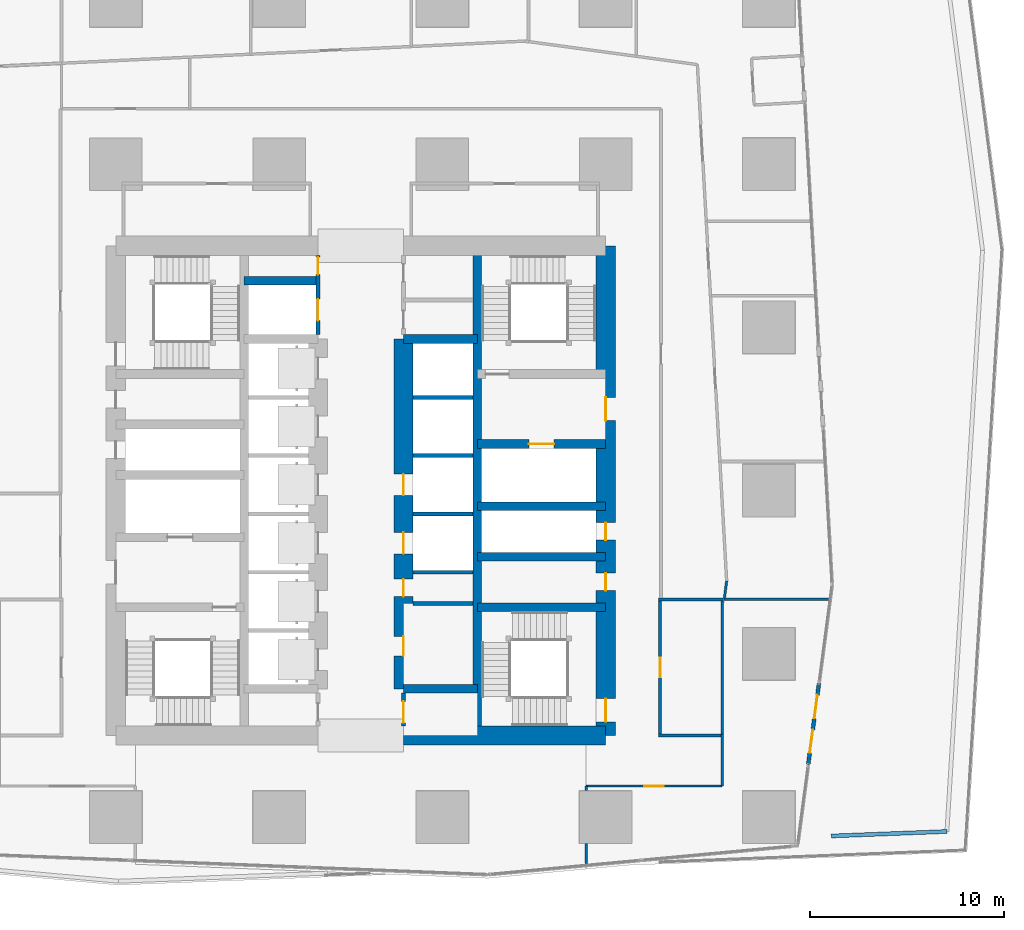
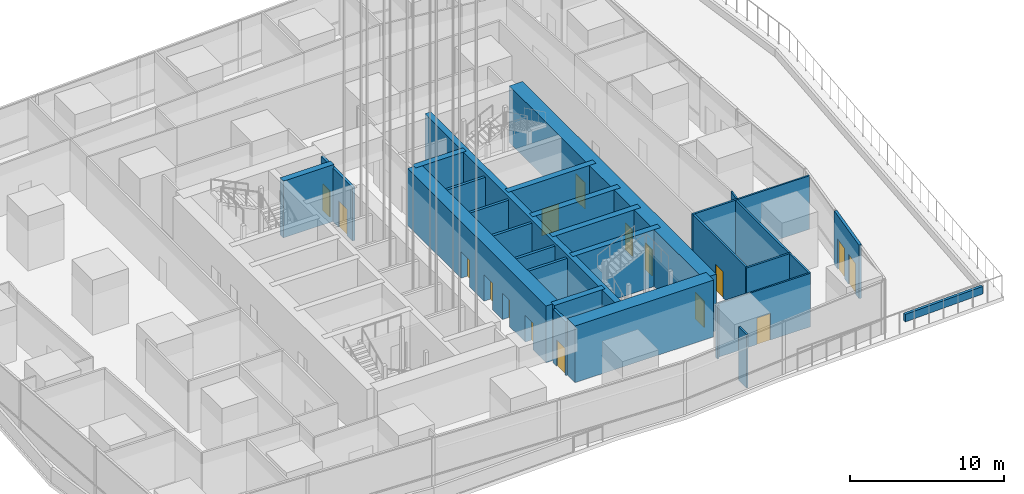
# One storey, part 16 of 39: 30 walls, 16 doors, 16 openings.
"""IFC4 building model written with IfcOpenShell, lengths in metres."""

from ifc_helpers import new_model, si_unit, direction, frame, frame_2d, origin, place, context, subcontext, project, spatial, rectangle, extrude, material, layer, layer_set, type_object, element, fill, save


model = new_model("IFC4")

# Units and contexts
model_context = context("Model", 3, precision=1e-05, world=origin(), true_north=direction((0.0, 1.0)))
body_context = subcontext(model_context, "Body", "Model", "MODEL_VIEW")
ifc_project = project(units=[si_unit("LENGTHUNIT", "METRE"), si_unit("AREAUNIT", "SQUARE_METRE"), si_unit("VOLUMEUNIT", "CUBIC_METRE"), si_unit("PLANEANGLEUNIT", "RADIAN"), si_unit("MASSUNIT", "GRAM", prefix="KILO")], contexts=[model_context])

# Site, building, storey
site_placement = place(None, origin())
site = spatial("IfcSite", under=ifc_project, at=site_placement, CompositionType="ELEMENT")
building_placement = place(site_placement, origin())
building = spatial("IfcBuilding", under=site, at=building_placement, Name="Rekha Terrace Tower", CompositionType="ELEMENT")
storey_placement = place(building_placement, frame((0.0, 0.0, 168.199951171875)))
storey = spatial("IfcBuildingStorey", under=building, at=storey_placement, Name="L42", CompositionType="ELEMENT", Elevation=168.199951171875)

# Walls
ifc_material_1 = material(Name="Concrete M60", Category="concrete")
ifc_layer_1 = layer(ifc_material_1, 0.449951171875)
ifc_layer_set_1 = layer_set([ifc_layer_1], Name="Concrete M60")
wall_type_1 = type_object("IfcWallType", Name="CI3 450 core internal shear wall", PredefinedType="SHEAR", material=ifc_layer_set_1)
wall_1_placement = place(storey_placement, frame((43.800048828125, 21.0, 0.0), z_axis=(0.0, 0.0, 1.0), x_axis=(0.0, 1.0, 0.0)))
element("IfcWall", 1, at=wall_1_placement, inside=storey, type_object=wall_type_1, Name="Core wall X438 L42", PredefinedType="SHEAR", context=body_context, shape_type="SweptSolid", body=[
    extrude(rectangle(XDim=25.199951171875, YDim=0.449951171875, at=frame_2d((12.60009765625, 0.0))), origin(), (0.0, 0.0, 1.0), 4.5),
])
for number, where, z_axis, x_axis, name in (
    (2, (31.800048828125, 44.39990234375, 0.0), (0.0, 0.0, 1.0), (1.0, 0.0, 0.0), "Core wall Y444W L42"),
    (3, (40.0, 23.39990234375, 0.0), (0.0, 0.0, 1.0), (1.0, 0.0, 0.0), "Core wall Y234E L42"),
    (4, (40.0, 41.39990234375, 0.0), (0.0, 0.0, 1.0), (1.0, 0.0, 0.0), "Core wall Y414E L42"),
):
    element("IfcWall", number, at=place(storey_placement, frame(where, z_axis=z_axis, x_axis=x_axis)), inside=storey, type_object=wall_type_1, Name=name, PredefinedType="SHEAR", context=body_context, shape_type="SweptSolid", body=[
        extrude(rectangle(XDim=3.800048828125, YDim=0.449951171875, at=frame_2d((1.89990234375, 0.0))), origin(), (0.0, 0.0, 1.0), 4.5),
    ])
for number, where, z_axis, x_axis, name in (
    (5, (43.800048828125, 27.60009765625, 0.0), (0.0, 0.0, 1.0), (1.0, 0.0, 0.0), "Core wall Y276E L42"),
    (6, (43.800048828125, 30.199951171875, 0.0), (0.0, 0.0, 1.0), (1.0, 0.0, 0.0), "Core wall Y302E L42"),
    (7, (43.800048828125, 32.800048828125, 0.0), (0.0, 0.0, 1.0), (1.0, 0.0, 0.0), "Core wall Y328E L42"),
):
    element("IfcWall", number, at=place(storey_placement, frame(where, z_axis=z_axis, x_axis=x_axis)), inside=storey, type_object=wall_type_1, Name=name, PredefinedType="SHEAR", context=body_context, shape_type="SweptSolid", body=[
        extrude(rectangle(XDim=6.599853515625, YDim=0.449951171875, at=frame_2d((3.2998046875, 0.0))), origin(), (0.0, 0.0, 1.0), 4.5),
    ])

# Wall, opening, door
wall_2_placement = place(storey_placement, frame((43.800048828125, 36.0, 0.0), z_axis=(0.0, 0.0, 1.0), x_axis=(1.0, 0.0, 0.0)))
wall_2 = element("IfcWall", 8, at=wall_2_placement, inside=storey, type_object=wall_type_1, Name="Core wall Y360E L42", PredefinedType="SHEAR", context=body_context, shape_type="SweptSolid", body=[
    extrude(rectangle(XDim=6.599853515625, YDim=0.449951171875, at=frame_2d((3.2998046875, 0.0))), origin(), (0.0, 0.0, 1.0), 4.5),
])
opening_1_placement = place(wall_2_placement, frame((2.64990234375, 0.0, 0.0)))
opening_1 = element("IfcOpeningElement", 9, at=opening_1_placement, cuts=wall_2, Name="Opening LD2", PredefinedType="OPENING", context=body_context, shape_type="SweptSolid", body=[
    extrude(rectangle(XDim=1.300048828125, YDim=2.10009765625, at=frame_2d((0.64990234375, 1.050048828125))), frame((0.0, 0.23486328125, 0.0), z_axis=(0.0, -1.0, 0.0), x_axis=(1.0, 0.0, 0.0)), (0.0, 0.0, 1.0), 0.469970703125),
])
ifc_material_2 = material(Name="Stainless steel sliding landing door", Category="steel")
door_type_1 = type_object("IfcDoorType", Name="LD2 1300x2100 fire lift landing door", OperationType="SLIDING_TO_LEFT", PredefinedType="USERDEFINED", material=ifc_material_2)
door_1_placement = place(opening_1_placement, origin())
door_1 = element("IfcDoor", 10, at=door_1_placement, inside=storey, type_object=door_type_1, Name="Lift FL2 landing door L42", ObjectType="LIFT LANDING DOOR", OperationType="SLIDING_TO_LEFT", OverallHeight=2.10009765625, OverallWidth=1.300048828125, PredefinedType="USERDEFINED", context=body_context, shape_type="SweptSolid", body=[
    extrude(rectangle(XDim=1.300048828125, YDim=2.10009765625, at=frame_2d((0.64990234375, 1.050048828125))), frame((0.0, 0.02490234375, 0.0), z_axis=(0.0, -1.0, 0.0), x_axis=(1.0, 0.0, 0.0)), (0.0, 0.0, 1.0), 0.050048828125),
])
fill(opening_1, door_1)

# Wall, openings, doors
ifc_material_3 = material(Name="Aluminium-faced insulated screen wall", Category="aluminium")
ifc_layer_2 = layer(ifc_material_3, 0.199951171875)
ifc_layer_set_2 = layer_set([ifc_layer_2], Name="Aluminium-faced insulated screen wall")
wall_type_2 = type_object("IfcWallType", Name="EW3 terrace door screen wall 200", PredefinedType="SOLIDWALL", material=ifc_layer_set_2)
wall_3_placement = place(storey_placement, frame((60.826171875, 19.512939453125, 0.0), z_axis=(0.0, 0.0, 1.0), x_axis=(0.131307007814, 0.991341752222, 0.0)))
wall_3 = element("IfcWall", 11, at=wall_3_placement, inside=storey, type_object=wall_type_2, Name="Terrace door screen wall", PredefinedType="SOLIDWALL", context=body_context, shape_type="SweptSolid", body=[
    extrude(rectangle(XDim=4.2001953125, YDim=0.199951171875, at=frame_2d((2.10009765625, 0.0))), origin(), (0.0, 0.0, 1.0), 4.25),
])
opening_2_placement = place(wall_3_placement, frame((0.60009765625, 0.0, 0.0)))
opening_2 = element("IfcOpeningElement", 12, at=opening_2_placement, cuts=wall_3, Name="Opening ED4", PredefinedType="OPENING", context=body_context, shape_type="SweptSolid", body=[
    extrude(rectangle(XDim=1.199951171875, YDim=2.39990234375, at=frame_2d((0.60009765625, 1.199951171875))), frame((0.0, 0.10986328125, 0.0), z_axis=(0.0, -1.0, 0.0), x_axis=(1.0, 0.0, 0.0)), (0.0, 0.0, 1.0), 0.219970703125),
])
opening_3_placement = place(wall_3_placement, frame((2.39990234375, 0.0, 0.0)))
opening_3 = element("IfcOpeningElement", 13, at=opening_3_placement, cuts=wall_3, Name="Opening ED4", PredefinedType="OPENING", context=body_context, shape_type="SweptSolid", body=[
    extrude(rectangle(XDim=1.199951171875, YDim=2.39990234375, at=frame_2d((0.60009765625, 1.199951171875))), frame((0.0, 0.10986328125, 0.0), z_axis=(0.0, -1.0, 0.0), x_axis=(1.0, 0.0, 0.0)), (0.0, 0.0, 1.0), 0.219970703125),
])
ifc_material_4 = material(Name="Aluminium framed laminated glass door", Category="aluminium")
door_type_2 = type_object("IfcDoorType", Name="ED4 glazed terrace door 1200 x 2400", OperationType="SINGLE_SWING_LEFT", PredefinedType="DOOR", material=ifc_material_4)
door_2_placement = place(opening_2_placement, origin())
door_2 = element("IfcDoor", 14, at=door_2_placement, inside=storey, type_object=door_type_2, Name="Terrace door", OperationType="SINGLE_SWING_LEFT", OverallHeight=2.39990234375, OverallWidth=1.199951171875, PredefinedType="DOOR", context=body_context, shape_type="SweptSolid", body=[
    extrude(rectangle(XDim=1.199951171875, YDim=2.39990234375, at=frame_2d((0.60009765625, 1.199951171875))), frame((0.0, 0.02490234375, 0.0), z_axis=(0.0, -1.0, 0.0), x_axis=(1.0, 0.0, 0.0)), (0.0, 0.0, 1.0), 0.050048828125),
])
fill(opening_2, door_2)
door_3_placement = place(opening_3_placement, origin())
door_3 = element("IfcDoor", 15, at=door_3_placement, inside=storey, type_object=door_type_2, Name="Terrace door", OperationType="SINGLE_SWING_LEFT", OverallHeight=2.39990234375, OverallWidth=1.199951171875, PredefinedType="DOOR", context=body_context, shape_type="SweptSolid", body=[
    extrude(rectangle(XDim=1.199951171875, YDim=2.39990234375, at=frame_2d((0.60009765625, 1.199951171875))), frame((0.0, 0.02490234375, 0.0), z_axis=(0.0, -1.0, 0.0), x_axis=(1.0, 0.0, 0.0)), (0.0, 0.0, 1.0), 0.050048828125),
])
fill(opening_3, door_3)

ifc_layer_3 = layer(ifc_material_1, 1.0)
ifc_layer_set_3 = layer_set([ifc_layer_3], Name="Concrete M60")
wall_type_3 = type_object("IfcWallType", Name="LW3 1000 core lobby wall at an outrigger level", PredefinedType="SHEAR", material=ifc_layer_set_3)
wall_4_placement = place(storey_placement, frame((40.0, 23.39990234375, 0.0), z_axis=(0.0, 0.0, 1.0), x_axis=(0.0, 1.0, 0.0)))
wall_4 = element("IfcWall", 16, at=wall_4_placement, inside=storey, type_object=wall_type_3, Name="Core wall X400 L42", PredefinedType="SHEAR", context=body_context, shape_type="SweptSolid", body=[
    extrude(rectangle(XDim=18.0, YDim=1.0, at=frame_2d((9.0, 0.0))), origin(), (0.0, 0.0, 1.0), 4.5),
])
opening_4_placement = place(wall_4_placement, frame((1.699951171875, 0.0, 0.0)))
opening_4 = element("IfcOpeningElement", 17, at=opening_4_placement, cuts=wall_4, Name="Opening D3", PredefinedType="OPENING", context=body_context, shape_type="SweptSolid", body=[
    extrude(rectangle(XDim=1.0, YDim=2.10009765625, at=frame_2d((0.5, 1.050048828125))), frame((0.0, 0.510009765625, 0.0), z_axis=(0.0, -1.0, 0.0), x_axis=(1.0, 0.0, 0.0)), (0.0, 0.0, 1.0), 1.02001953125),
])
opening_5_placement = place(wall_4_placement, frame((4.75, 0.0, 0.0)))
opening_5 = element("IfcOpeningElement", 18, at=opening_5_placement, cuts=wall_4, Name="Opening D5", PredefinedType="OPENING", context=body_context, shape_type="SweptSolid", body=[
    extrude(rectangle(XDim=0.89990234375, YDim=2.10009765625, at=frame_2d((0.449951171875, 1.050048828125))), frame((0.0, 0.510009765625, 0.0), z_axis=(0.0, -1.0, 0.0), x_axis=(1.0, 0.0, 0.0)), (0.0, 0.0, 1.0), 1.02001953125),
])
opening_6_placement = place(wall_4_placement, frame((6.949951171875, 0.0, 0.0)))
opening_6 = element("IfcOpeningElement", 19, at=opening_6_placement, cuts=wall_4, Name="Opening LD1", PredefinedType="OPENING", context=body_context, shape_type="SweptSolid", body=[
    extrude(rectangle(XDim=1.10009765625, YDim=2.10009765625, at=frame_2d((0.550048828125, 1.050048828125))), frame((0.0, 0.510009765625, 0.0), z_axis=(0.0, -1.0, 0.0), x_axis=(1.0, 0.0, 0.0)), (0.0, 0.0, 1.0), 1.02001953125),
])
opening_7_placement = place(wall_4_placement, frame((9.949951171875, 0.0, 0.0)))
opening_7 = element("IfcOpeningElement", 20, at=opening_7_placement, cuts=wall_4, Name="Opening LD1", PredefinedType="OPENING", context=body_context, shape_type="SweptSolid", body=[
    extrude(rectangle(XDim=1.10009765625, YDim=2.10009765625, at=frame_2d((0.550048828125, 1.050048828125))), frame((0.0, 0.510009765625, 0.0), z_axis=(0.0, -1.0, 0.0), x_axis=(1.0, 0.0, 0.0)), (0.0, 0.0, 1.0), 1.02001953125),
])
ifc_material_5 = material(Name="Laminated timber fire door", Category="wood")
door_type_3 = type_object("IfcDoorType", Name="D3 1000x2100 WC door", OperationType="SINGLE_SWING_LEFT", PredefinedType="DOOR", material=ifc_material_5)
door_4_placement = place(opening_4_placement, origin())
door_4 = element("IfcDoor", 21, at=door_4_placement, inside=storey, type_object=door_type_3, Name="Door staff wc L42", OperationType="SINGLE_SWING_LEFT", OverallHeight=2.10009765625, OverallWidth=1.0, PredefinedType="DOOR", context=body_context, shape_type="SweptSolid", body=[
    extrude(rectangle(XDim=1.0, YDim=2.10009765625, at=frame_2d((0.5, 1.050048828125))), frame((0.0, 0.02490234375, 0.0), z_axis=(0.0, -1.0, 0.0), x_axis=(1.0, 0.0, 0.0)), (0.0, 0.0, 1.0), 0.050048828125),
])
fill(opening_4, door_4)
ifc_material_6 = material(Name="Steel fire door", Category="steel")
door_type_4 = type_object("IfcDoorType", Name="D5 900x2100 riser access door", OperationType="SINGLE_SWING_LEFT", PredefinedType="DOOR", material=ifc_material_6)
door_5_placement = place(opening_5_placement, origin())
door_5 = element("IfcDoor", 22, at=door_5_placement, inside=storey, type_object=door_type_4, Name="Door records store L42", OperationType="SINGLE_SWING_LEFT", OverallHeight=2.10009765625, OverallWidth=0.89990234375, PredefinedType="DOOR", context=body_context, shape_type="SweptSolid", body=[
    extrude(rectangle(XDim=0.89990234375, YDim=2.10009765625, at=frame_2d((0.449951171875, 1.050048828125))), frame((0.0, 0.02490234375, 0.0), z_axis=(0.0, -1.0, 0.0), x_axis=(1.0, 0.0, 0.0)), (0.0, 0.0, 1.0), 0.050048828125),
])
fill(opening_5, door_5)
door_type_5 = type_object("IfcDoorType", Name="LD1 1100x2100 lift landing door", OperationType="SLIDING_TO_LEFT", PredefinedType="USERDEFINED", material=ifc_material_2)
door_6_placement = place(opening_6_placement, origin())
door_6 = element("IfcDoor", 23, at=door_6_placement, inside=storey, type_object=door_type_5, Name="Lift SH3 landing door L42", ObjectType="LIFT LANDING DOOR", OperationType="SLIDING_TO_LEFT", OverallHeight=2.10009765625, OverallWidth=1.10009765625, PredefinedType="USERDEFINED", context=body_context, shape_type="SweptSolid", body=[
    extrude(rectangle(XDim=1.10009765625, YDim=2.10009765625, at=frame_2d((0.550048828125, 1.050048828125))), frame((0.0, 0.02490234375, 0.0), z_axis=(0.0, -1.0, 0.0), x_axis=(1.0, 0.0, 0.0)), (0.0, 0.0, 1.0), 0.050048828125),
])
fill(opening_6, door_6)
door_7_placement = place(opening_7_placement, origin())
door_7 = element("IfcDoor", 24, at=door_7_placement, inside=storey, type_object=door_type_5, Name="Lift SH4 landing door L42", ObjectType="LIFT LANDING DOOR", OperationType="SLIDING_TO_LEFT", OverallHeight=2.10009765625, OverallWidth=1.10009765625, PredefinedType="USERDEFINED", context=body_context, shape_type="SweptSolid", body=[
    extrude(rectangle(XDim=1.10009765625, YDim=2.10009765625, at=frame_2d((0.550048828125, 1.050048828125))), frame((0.0, 0.02490234375, 0.0), z_axis=(0.0, -1.0, 0.0), x_axis=(1.0, 0.0, 0.0)), (0.0, 0.0, 1.0), 0.050048828125),
])
fill(opening_7, door_7)

# Walls
ifc_material_7 = material(Name="Concrete M40", Category="concrete")
ifc_layer_4 = layer(ifc_material_7, 0.199951171875)
ifc_layer_set_4 = layer_set([ifc_layer_4], Name="Concrete M40")
wall_type_4 = type_object("IfcWallType", Name="PL1 terrace planter wall 200", PredefinedType="USERDEFINED", material=ifc_layer_set_4)
wall_5_placement = place(storey_placement, frame((62.0126953125, 15.828857421875, 0.0), z_axis=(0.0, 0.0, 1.0), x_axis=(0.999242772143, 0.038908640685, 0.0)))
element("IfcWall", 25, at=wall_5_placement, inside=storey, type_object=wall_type_4, Name="Terrace planter", ObjectType="PLANTER", PredefinedType="USERDEFINED", context=body_context, shape_type="SweptSolid", body=[
    extrude(rectangle(XDim=5.95458984375, YDim=0.199951171875, at=frame_2d((2.977294921875, 0.0))), origin(), (0.0, 0.0, 1.0), 0.60009765625),
])
ifc_layer_5 = layer(ifc_material_1, 1.0)
ifc_layer_set_5 = layer_set([ifc_layer_5], Name="Concrete M60")
wall_type_5 = type_object("IfcWallType", Name="SW3 1000 core outer shear wall", PredefinedType="SHEAR", material=ifc_layer_set_5)
wall_6_placement = place(storey_placement, frame((40.0, 21.0, 0.0), z_axis=(0.0, 0.0, 1.0), x_axis=(1.0, 0.0, 0.0)))
element("IfcWall", 26, at=wall_6_placement, inside=storey, type_object=wall_type_5, Name="Core wall S2 L42", PredefinedType="SHEAR", context=body_context, shape_type="SweptSolid", body=[
    extrude(rectangle(XDim=10.39990234375, YDim=1.0, at=frame_2d((5.199951171875, 0.0))), origin(), (0.0, 0.0, 1.0), 4.5),
])

# Wall, openings, doors
wall_7_placement = place(storey_placement, frame((50.39990234375, 21.0, 0.0), z_axis=(0.0, 0.0, 1.0), x_axis=(0.0, 1.0, 0.0)))
wall_7 = element("IfcWall", 27, at=wall_7_placement, inside=storey, type_object=wall_type_5, Name="Core wall E L42", PredefinedType="SHEAR", context=body_context, shape_type="SweptSolid", body=[
    extrude(rectangle(XDim=25.199951171875, YDim=1.0, at=frame_2d((12.60009765625, 0.0))), origin(), (0.0, 0.0, 1.0), 4.5),
])
opening_8_placement = place(wall_7_placement, frame((16.199951171875, 0.0, 0.0)))
opening_8 = element("IfcOpeningElement", 28, at=opening_8_placement, cuts=wall_7, Name="Opening D2", PredefinedType="OPENING", context=body_context, shape_type="SweptSolid", body=[
    extrude(rectangle(XDim=1.199951171875, YDim=2.10009765625, at=frame_2d((0.60009765625, 1.050048828125))), frame((0.0, 0.510009765625, 0.0), z_axis=(0.0, -1.0, 0.0), x_axis=(1.0, 0.0, 0.0)), (0.0, 0.0, 1.0), 1.02001953125),
])
opening_9_placement = place(wall_7_placement, frame((10.050048828125, 0.0, 0.0)))
opening_9 = element("IfcOpeningElement", 29, at=opening_9_placement, cuts=wall_7, Name="Opening D5", PredefinedType="OPENING", context=body_context, shape_type="SweptSolid", body=[
    extrude(rectangle(XDim=0.89990234375, YDim=2.10009765625, at=frame_2d((0.449951171875, 1.050048828125))), frame((0.0, 0.510009765625, 0.0), z_axis=(0.0, -1.0, 0.0), x_axis=(1.0, 0.0, 0.0)), (0.0, 0.0, 1.0), 1.02001953125),
])
opening_10_placement = place(wall_7_placement, frame((7.449951171875, 0.0, 0.0)))
opening_10 = element("IfcOpeningElement", 30, at=opening_10_placement, cuts=wall_7, Name="Opening D5", PredefinedType="OPENING", context=body_context, shape_type="SweptSolid", body=[
    extrude(rectangle(XDim=0.89990234375, YDim=2.10009765625, at=frame_2d((0.449951171875, 1.050048828125))), frame((0.0, 0.510009765625, 0.0), z_axis=(0.0, -1.0, 0.0), x_axis=(1.0, 0.0, 0.0)), (0.0, 0.0, 1.0), 1.02001953125),
])
opening_11_placement = place(wall_7_placement, frame((0.699951171875, 0.0, 0.0)))
opening_11 = element("IfcOpeningElement", 31, at=opening_11_placement, cuts=wall_7, Name="Opening D1", PredefinedType="OPENING", context=body_context, shape_type="SweptSolid", body=[
    extrude(rectangle(XDim=1.199951171875, YDim=2.10009765625, at=frame_2d((0.60009765625, 1.050048828125))), frame((0.0, 0.510009765625, 0.0), z_axis=(0.0, -1.0, 0.0), x_axis=(1.0, 0.0, 0.0)), (0.0, 0.0, 1.0), 1.02001953125),
])
door_type_6 = type_object("IfcDoorType", Name="D1 1200x2100 stair fire door", OperationType="SINGLE_SWING_RIGHT", PredefinedType="DOOR", material=ifc_material_6)
door_8_placement = place(opening_11_placement, origin())
door_8 = element("IfcDoor", 32, at=door_8_placement, inside=storey, type_object=door_type_6, Name="Stair ST3 door L42", OperationType="SINGLE_SWING_RIGHT", OverallHeight=2.10009765625, OverallWidth=1.199951171875, PredefinedType="DOOR", context=body_context, shape_type="SweptSolid", body=[
    extrude(rectangle(XDim=1.199951171875, YDim=2.10009765625, at=frame_2d((0.60009765625, 1.050048828125))), frame((0.0, 0.02490234375, 0.0), z_axis=(0.0, -1.0, 0.0), x_axis=(1.0, 0.0, 0.0)), (0.0, 0.0, 1.0), 0.050048828125),
])
fill(opening_11, door_8)
door_type_7 = type_object("IfcDoorType", Name="D2 1200x2100 firefighting lobby door", OperationType="SINGLE_SWING_LEFT", PredefinedType="DOOR", material=ifc_material_6)
door_9_placement = place(opening_8_placement, origin())
door_9 = element("IfcDoor", 33, at=door_9_placement, inside=storey, type_object=door_type_7, Name="Door flb2 L42", OperationType="SINGLE_SWING_LEFT", OverallHeight=2.10009765625, OverallWidth=1.199951171875, PredefinedType="DOOR", context=body_context, shape_type="SweptSolid", body=[
    extrude(rectangle(XDim=1.199951171875, YDim=2.10009765625, at=frame_2d((0.60009765625, 1.050048828125))), frame((0.0, 0.02490234375, 0.0), z_axis=(0.0, -1.0, 0.0), x_axis=(1.0, 0.0, 0.0)), (0.0, 0.0, 1.0), 0.050048828125),
])
fill(opening_8, door_9)
door_10_placement = place(opening_9_placement, origin())
door_10 = element("IfcDoor", 34, at=door_10_placement, inside=storey, type_object=door_type_4, Name="Door rs2 L42", OperationType="SINGLE_SWING_LEFT", OverallHeight=2.10009765625, OverallWidth=0.89990234375, PredefinedType="DOOR", context=body_context, shape_type="SweptSolid", body=[
    extrude(rectangle(XDim=0.89990234375, YDim=2.10009765625, at=frame_2d((0.449951171875, 1.050048828125))), frame((0.0, 0.02490234375, 0.0), z_axis=(0.0, -1.0, 0.0), x_axis=(1.0, 0.0, 0.0)), (0.0, 0.0, 1.0), 0.050048828125),
])
fill(opening_9, door_10)
door_11_placement = place(opening_10_placement, origin())
door_11 = element("IfcDoor", 35, at=door_11_placement, inside=storey, type_object=door_type_4, Name="Door ele L42", OperationType="SINGLE_SWING_LEFT", OverallHeight=2.10009765625, OverallWidth=0.89990234375, PredefinedType="DOOR", context=body_context, shape_type="SweptSolid", body=[
    extrude(rectangle(XDim=0.89990234375, YDim=2.10009765625, at=frame_2d((0.449951171875, 1.050048828125))), frame((0.0, 0.02490234375, 0.0), z_axis=(0.0, -1.0, 0.0), x_axis=(1.0, 0.0, 0.0)), (0.0, 0.0, 1.0), 0.050048828125),
])
fill(opening_10, door_11)

# Walls
ifc_material_8 = material(Name="Concrete block masonry, 1 hour", Category="masonry")
ifc_layer_6 = layer(ifc_material_8, 0.14990234375)
ifc_layer_set_6 = layer_set([ifc_layer_6], Name="Concrete block masonry, 1 hour")
wall_type_6 = type_object("IfcWallType", Name="WP2 150 tenancy partition", PredefinedType="PARTITIONING", material=ifc_layer_set_6)
for number, where, z_axis, x_axis, name in (
    (36, (53.125, 21.0, 0.0), (0.0, 0.0, 1.0), (1.0, 0.0, 0.0), "Men's WC wall L42"),
    (37, (53.125, 28.0, 0.0), (0.0, 0.0, 1.0), (1.0, 0.0, 0.0), "Men's WC wall L42"),
):
    element("IfcWall", number, at=place(storey_placement, frame(where, z_axis=z_axis, x_axis=x_axis)), inside=storey, type_object=wall_type_6, Name=name, PredefinedType="PARTITIONING", context=body_context, shape_type="SweptSolid", body=[
        extrude(rectangle(XDim=3.35009765625, YDim=0.14990234375, at=frame_2d((1.675048828125, 0.0))), origin(), (0.0, 0.0, 1.0), 4.25),
    ])

# Wall, opening, door
wall_8_placement = place(storey_placement, frame((53.199951171875, 21.074951171875, 0.0), z_axis=(0.0, 0.0, 1.0), x_axis=(0.0, 1.0, 0.0)))
wall_8 = element("IfcWall", 38, at=wall_8_placement, inside=storey, type_object=wall_type_6, Name="Men's WC wall L42", PredefinedType="PARTITIONING", context=body_context, shape_type="SweptSolid", body=[
    extrude(rectangle(XDim=6.85009765625, YDim=0.14990234375, at=frame_2d((3.425048828125, 0.0))), origin(), (0.0, 0.0, 1.0), 4.25),
])
opening_12_placement = place(wall_8_placement, frame((2.925048828125, 0.0, 0.0)))
opening_12 = element("IfcOpeningElement", 39, at=opening_12_placement, cuts=wall_8, Name="Opening D3", PredefinedType="OPENING", context=body_context, shape_type="SweptSolid", body=[
    extrude(rectangle(XDim=1.0, YDim=2.10009765625, at=frame_2d((0.5, 1.050048828125))), frame((0.0, 0.0849609375, 0.0), z_axis=(0.0, -1.0, 0.0), x_axis=(1.0, 0.0, 0.0)), (0.0, 0.0, 1.0), 0.169921875),
])
door_12_placement = place(opening_12_placement, origin())
door_12 = element("IfcDoor", 40, at=door_12_placement, inside=storey, type_object=door_type_3, Name="Door men's wc L42", OperationType="SINGLE_SWING_LEFT", OverallHeight=2.10009765625, OverallWidth=1.0, PredefinedType="DOOR", context=body_context, shape_type="SweptSolid", body=[
    extrude(rectangle(XDim=1.0, YDim=2.10009765625, at=frame_2d((0.5, 1.050048828125))), frame((0.0, 0.02490234375, 0.0), z_axis=(0.0, -1.0, 0.0), x_axis=(1.0, 0.0, 0.0)), (0.0, 0.0, 1.0), 0.050048828125),
])
fill(opening_12, door_12)

# Walls
wall_9_placement = place(storey_placement, frame((56.39990234375, 21.074951171875, 0.0), z_axis=(0.0, 0.0, 1.0), x_axis=(0.0, 1.0, 0.0)))
element("IfcWall", 41, at=wall_9_placement, inside=storey, type_object=wall_type_6, Name="Men's WC wall L42", PredefinedType="PARTITIONING", context=body_context, shape_type="SweptSolid", body=[
    extrude(rectangle(XDim=6.85009765625, YDim=0.14990234375, at=frame_2d((3.425048828125, 0.0))), origin(), (0.0, 0.0, 1.0), 4.25),
])
ifc_material_9 = material(Name="Two layers of fire-rated gypsum board each side on steel studs, acoustic quilt, 1 hour", Category="steel")
ifc_layer_7 = layer(ifc_material_9, 0.125)
ifc_layer_set_7 = layer_set([ifc_layer_7], Name="Two layers of fire-rated gypsum board each side on steel studs, acoustic quilt, 1 hour")
wall_type_7 = type_object("IfcWallType", Name="WP3 125 office partition", PredefinedType="PARTITIONING", material=ifc_layer_set_7)
wall_10_placement = place(storey_placement, frame((56.39990234375, 18.39990234375, 0.0), z_axis=(0.0, 0.0, 1.0), x_axis=(0.0, 1.0, 0.0)))
element("IfcWall", 42, at=wall_10_placement, inside=storey, type_object=wall_type_7, Name="Partition L42-05", PredefinedType="PARTITIONING", context=body_context, shape_type="SweptSolid", body=[
    extrude(rectangle(XDim=2.675048828125, YDim=0.125, at=frame_2d((1.33740234375, 0.0))), origin(), (0.0, 0.0, 1.0), 4.25),
])
wall_11_placement = place(storey_placement, frame((56.5029296875, 28.0, 0.0), z_axis=(0.0, 0.0, 1.0), x_axis=(1.0, 0.0, 0.0)))
element("IfcWall", 43, at=wall_11_placement, inside=storey, type_object=wall_type_7, Name="Partition L42-05", PredefinedType="PARTITIONING", context=body_context, shape_type="SweptSolid", body=[
    extrude(rectangle(XDim=5.39697265625, YDim=0.125, at=frame_2d((2.698486328125, 0.0))), origin(), (0.0, 0.0, 1.0), 4.25),
])
wall_12_placement = place(storey_placement, frame((49.39990234375, 14.402099609375, 0.0), z_axis=(0.0, 0.0, 1.0), x_axis=(0.0, 1.0, 0.0)))
element("IfcWall", 44, at=wall_12_placement, inside=storey, type_object=wall_type_7, Name="Partition L42-05", PredefinedType="PARTITIONING", context=body_context, shape_type="SweptSolid", body=[
    extrude(rectangle(XDim=1.02783203125, YDim=0.125, at=frame_2d((0.513916015625, 0.0))), origin(), (0.0, 0.0, 1.0), 4.25),
])
wall_13_placement = place(storey_placement, frame((49.39990234375, 18.169921875, 0.0), z_axis=(0.0, 0.0, 1.0), x_axis=(0.0, 1.0, 0.0)))
element("IfcWall", 45, at=wall_13_placement, inside=storey, type_object=wall_type_7, Name="Partition L42-05", PredefinedType="PARTITIONING", context=body_context, shape_type="SweptSolid", body=[
    extrude(rectangle(XDim=0.22998046875, YDim=0.125, at=frame_2d((0.114990234375, 0.0))), origin(), (0.0, 0.0, 1.0), 4.25),
])

# Wall, opening, door
wall_14_placement = place(storey_placement, frame((49.39990234375, 18.39990234375, 0.0), z_axis=(0.0, 0.0, 1.0), x_axis=(1.0, 0.0, 0.0)))
wall_14 = element("IfcWall", 46, at=wall_14_placement, inside=storey, type_object=wall_type_7, Name="Partition L42-05", PredefinedType="PARTITIONING", context=body_context, shape_type="SweptSolid", body=[
    extrude(rectangle(XDim=7.0, YDim=0.125, at=frame_2d((3.5, 0.0))), origin(), (0.0, 0.0, 1.0), 4.25),
])
opening_13_placement = place(wall_14_placement, frame((3.0, 0.0, 0.0)))
opening_13 = element("IfcOpeningElement", 47, at=opening_13_placement, cuts=wall_14, Name="Opening D9", PredefinedType="OPENING", context=body_context, shape_type="SweptSolid", body=[
    extrude(rectangle(XDim=1.0, YDim=2.10009765625, at=frame_2d((0.5, 1.050048828125))), frame((0.0, 0.072509765625, 0.0), z_axis=(0.0, -1.0, 0.0), x_axis=(1.0, 0.0, 0.0)), (0.0, 0.0, 1.0), 0.14501953125),
])
ifc_material_10 = material(Name="Timber fire door", Category="wood")
door_type_8 = type_object("IfcDoorType", Name="D9 1000x2100 office door", OperationType="SINGLE_SWING_LEFT", PredefinedType="DOOR", material=ifc_material_10)
door_13_placement = place(opening_13_placement, origin())
door_13 = element("IfcDoor", 48, at=door_13_placement, inside=storey, type_object=door_type_8, Name="Door director's office L42", OperationType="SINGLE_SWING_LEFT", OverallHeight=2.10009765625, OverallWidth=1.0, PredefinedType="DOOR", context=body_context, shape_type="SweptSolid", body=[
    extrude(rectangle(XDim=1.0, YDim=2.10009765625, at=frame_2d((0.5, 1.050048828125))), frame((0.0, 0.02490234375, 0.0), z_axis=(0.0, -1.0, 0.0), x_axis=(1.0, 0.0, 0.0)), (0.0, 0.0, 1.0), 0.050048828125),
])
fill(opening_13, door_13)

# Walls
wall_15_placement = place(storey_placement, frame((56.511962890625, 28.06201171875, 0.0), z_axis=(0.0, 0.0, 1.0), x_axis=(0.130433380751, 0.991457075816, 0.0)))
element("IfcWall", 49, at=wall_15_placement, inside=storey, type_object=wall_type_7, Name="Partition L42-06", PredefinedType="PARTITIONING", context=body_context, shape_type="SweptSolid", body=[
    extrude(rectangle(XDim=0.896484375, YDim=0.125, at=frame_2d((0.4482421875, 0.0))), origin(), (0.0, 0.0, 1.0), 4.25),
])
ifc_material_11 = material(Name="Solid concrete block masonry, 2 hour", Category="masonry")
ifc_layer_8 = layer(ifc_material_11, 0.199951171875)
ifc_layer_set_8 = layer_set([ifc_layer_8], Name="Solid concrete block masonry, 2 hour")
wall_type_8 = type_object("IfcWallType", Name="WS1 200 stair and shaft enclosure", PredefinedType="PARTITIONING", material=ifc_layer_set_8)
for number, where, z_axis, x_axis, name in (
    (50, (40.5, 29.39990234375, 0.0), (0.0, 0.0, 1.0), (1.0, 0.0, 0.0), "Lift shaft divider L42"),
    (51, (40.5, 32.39990234375, 0.0), (0.0, 0.0, 1.0), (1.0, 0.0, 0.0), "Lift shaft divider L42"),
    (52, (40.5, 35.39990234375, 0.0), (0.0, 0.0, 1.0), (1.0, 0.0, 0.0), "Lift shaft divider L42"),
    (53, (40.5, 38.39990234375, 0.0), (0.0, 0.0, 1.0), (1.0, 0.0, 0.0), "Lift shaft divider L42"),
):
    element("IfcWall", number, at=place(storey_placement, frame(where, z_axis=z_axis, x_axis=x_axis)), inside=storey, type_object=wall_type_8, Name=name, PredefinedType="PARTITIONING", context=body_context, shape_type="SweptSolid", body=[
        extrude(rectangle(XDim=3.074951171875, YDim=0.199951171875, at=frame_2d((1.53759765625, 0.0))), origin(), (0.0, 0.0, 1.0), 4.25),
    ])

# Wall, opening, door
wall_16_placement = place(storey_placement, frame((40.0, 21.5, 0.0), z_axis=(0.0, 0.0, 1.0), x_axis=(0.0, 1.0, 0.0)))
wall_16 = element("IfcWall", 54, at=wall_16_placement, inside=storey, type_object=wall_type_8, Name="Core partition wca L42", PredefinedType="PARTITIONING", context=body_context, shape_type="SweptSolid", body=[
    extrude(rectangle(XDim=1.675048828125, YDim=0.199951171875, at=frame_2d((0.83740234375, 0.0))), origin(), (0.0, 0.0, 1.0), 4.25),
])
opening_14_placement = place(wall_16_placement, frame((0.14990234375, 0.0, 0.0)))
opening_14 = element("IfcOpeningElement", 55, at=opening_14_placement, cuts=wall_16, Name="Opening D4", PredefinedType="OPENING", context=body_context, shape_type="SweptSolid", body=[
    extrude(rectangle(XDim=1.10009765625, YDim=2.10009765625, at=frame_2d((0.550048828125, 1.050048828125))), frame((0.0, 0.10986328125, 0.0), z_axis=(0.0, -1.0, 0.0), x_axis=(1.0, 0.0, 0.0)), (0.0, 0.0, 1.0), 0.219970703125),
])
door_type_9 = type_object("IfcDoorType", Name="D4 1100x2100 accessible WC door", OperationType="SLIDING_TO_LEFT", PredefinedType="DOOR", material=ifc_material_5)
door_14_placement = place(opening_14_placement, origin())
door_14 = element("IfcDoor", 56, at=door_14_placement, inside=storey, type_object=door_type_9, Name="Door wca L42", OperationType="SLIDING_TO_LEFT", OverallHeight=2.10009765625, OverallWidth=1.10009765625, PredefinedType="DOOR", context=body_context, shape_type="SweptSolid", body=[
    extrude(rectangle(XDim=1.10009765625, YDim=2.10009765625, at=frame_2d((0.550048828125, 1.050048828125))), frame((0.0, 0.02490234375, 0.0), z_axis=(0.0, -1.0, 0.0), x_axis=(1.0, 0.0, 0.0)), (0.0, 0.0, 1.0), 0.050048828125),
])
fill(opening_14, door_14)

# Wall, openings, doors
wall_17_placement = place(storey_placement, frame((35.60009765625, 41.625, 0.0), z_axis=(0.0, 0.0, 1.0), x_axis=(0.0, 1.0, 0.0)))
wall_17 = element("IfcWall", 57, at=wall_17_placement, inside=storey, type_object=wall_type_8, Name="Core partition jansv L42", PredefinedType="PARTITIONING", context=body_context, shape_type="SweptSolid", body=[
    extrude(rectangle(XDim=4.074951171875, YDim=0.199951171875, at=frame_2d((2.03759765625, 0.0))), origin(), (0.0, 0.0, 1.0), 4.25),
])
opening_15_placement = place(wall_17_placement, frame((3.087890625, 0.0, 0.0)))
opening_15 = element("IfcOpeningElement", 58, at=opening_15_placement, cuts=wall_17, Name="Opening D5", PredefinedType="OPENING", context=body_context, shape_type="SweptSolid", body=[
    extrude(rectangle(XDim=0.89990234375, YDim=2.10009765625, at=frame_2d((0.449951171875, 1.050048828125))), frame((0.0, 0.10986328125, 0.0), z_axis=(0.0, -1.0, 0.0), x_axis=(1.0, 0.0, 0.0)), (0.0, 0.0, 1.0), 0.219970703125),
])
opening_16_placement = place(wall_17_placement, frame((0.72509765625, 0.0, 0.0)))
opening_16 = element("IfcOpeningElement", 59, at=opening_16_placement, cuts=wall_17, Name="Opening LD1", PredefinedType="OPENING", context=body_context, shape_type="SweptSolid", body=[
    extrude(rectangle(XDim=1.10009765625, YDim=2.10009765625, at=frame_2d((0.550048828125, 1.050048828125))), frame((0.0, 0.10986328125, 0.0), z_axis=(0.0, -1.0, 0.0), x_axis=(1.0, 0.0, 0.0)), (0.0, 0.0, 1.0), 0.219970703125),
])
door_15_placement = place(opening_15_placement, origin())
door_15 = element("IfcDoor", 60, at=door_15_placement, inside=storey, type_object=door_type_4, Name="Door janitor room L42", OperationType="SINGLE_SWING_LEFT", OverallHeight=2.10009765625, OverallWidth=0.89990234375, PredefinedType="DOOR", context=body_context, shape_type="SweptSolid", body=[
    extrude(rectangle(XDim=0.89990234375, YDim=2.10009765625, at=frame_2d((0.449951171875, 1.050048828125))), frame((0.0, 0.02490234375, 0.0), z_axis=(0.0, -1.0, 0.0), x_axis=(1.0, 0.0, 0.0)), (0.0, 0.0, 1.0), 0.050048828125),
])
fill(opening_15, door_15)
door_16_placement = place(opening_16_placement, origin())
door_16 = element("IfcDoor", 61, at=door_16_placement, inside=storey, type_object=door_type_5, Name="Lift SV1 landing door L42", ObjectType="LIFT LANDING DOOR", OperationType="SLIDING_TO_LEFT", OverallHeight=2.10009765625, OverallWidth=1.10009765625, PredefinedType="USERDEFINED", context=body_context, shape_type="SweptSolid", body=[
    extrude(rectangle(XDim=1.10009765625, YDim=2.10009765625, at=frame_2d((0.550048828125, 1.050048828125))), frame((0.0, 0.02490234375, 0.0), z_axis=(0.0, -1.0, 0.0), x_axis=(1.0, 0.0, 0.0)), (0.0, 0.0, 1.0), 0.050048828125),
])
fill(opening_16, door_16)

# Wall
wall_18_placement = place(storey_placement, frame((40.5, 27.800048828125, 0.0), z_axis=(0.0, 0.0, 1.0), x_axis=(1.0, 0.0, 0.0)))
element("IfcWall", 62, at=wall_18_placement, inside=storey, type_object=wall_type_8, Name="Core partition freed shafts L42", PredefinedType="PARTITIONING", context=body_context, shape_type="SweptSolid", body=[
    extrude(rectangle(XDim=3.074951171875, YDim=0.199951171875, at=frame_2d((1.53759765625, 0.0))), origin(), (0.0, 0.0, 1.0), 4.25),
])

save(model, "model.ifc")
